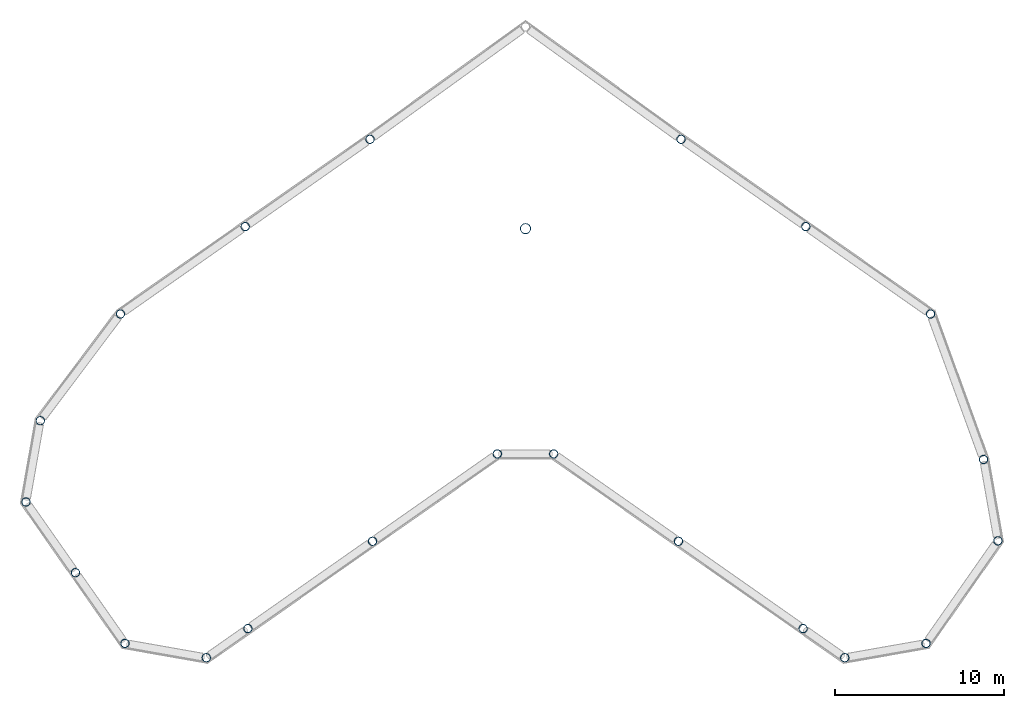
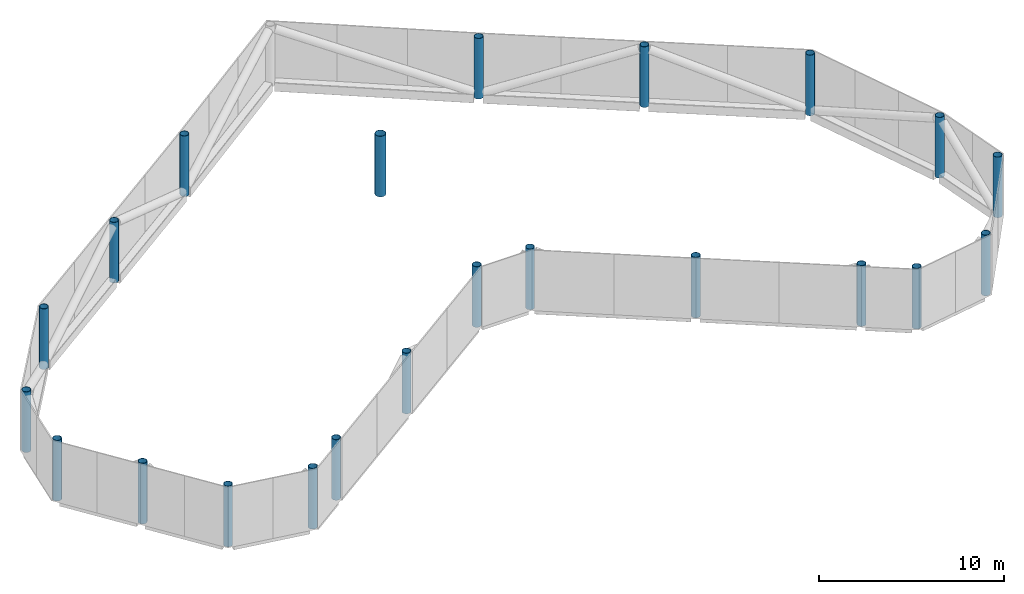
# One storey, part 1 of 4: 22 columns.
"""IFC4 building model written with IfcOpenShell, lengths in metres."""

import ifcopenshell
import ifcopenshell.guid

model = None  # the IFC model being written
_history = None  # IfcOwnerHistory: only IFC2X3 demands one
_inside = {}  # id of a spatial element -> (the spatial element, [elements in it])
_under = {}  # id of a project, library or spatial element -> (it, [spatial elements below it])
_declared = {}  # id of a project -> (the project, [libraries it declares])
_typed = {}  # id of a type object -> (the type object, [elements of that type])
_made_of = {}  # id of a material, layer set ... -> (it, [elements and type objects made of it])


def new_model(schema):
    """Start an empty IFC model of exactly this schema.

    Asked for "IFC4X3", IfcOpenShell would pick the latest addendum, in which some entities
    have other attributes; the version numbers below select the first issue.
    IFC2X3 requires an IfcOwnerHistory on every rooted entity: one is made here for all.
    """
    global model, _history
    if schema == "IFC4X3":
        model = ifcopenshell.file(schema_version=(4, 3, 0, 0))
    else:
        model = ifcopenshell.file(schema=schema)
    _inside.clear()
    _under.clear()
    _declared.clear()
    _typed.clear()
    _made_of.clear()
    _history = None
    if model.schema == "IFC2X3":
        org = make("IfcOrganization", Name="unknown")
        user = make(
            "IfcPersonAndOrganization",
            ThePerson=make("IfcPerson", FamilyName="unknown"),
            TheOrganization=org,
        )
        app = make(
            "IfcApplication",
            ApplicationDeveloper=org,
            Version="unknown",
            ApplicationFullName="unknown",
            ApplicationIdentifier="unknown",
        )
        _history = make(
            "IfcOwnerHistory",
            OwningUser=user,
            OwningApplication=app,
            ChangeAction="ADDED",
            CreationDate=0,
        )
    return model


def make(cls, **values):
    """One entity of the class cls with the attributes given. An attribute that is None is left unset."""
    return model.create_entity(
        cls, **{name: value for name, value in values.items() if value is not None}
    )


def rooted(cls, **values):
    """An entity with a GlobalId (a new one), such as an element, a storey or a relation."""
    return make(cls, GlobalId=ifcopenshell.guid.new(), OwnerHistory=_history, **values)


def si_unit(unit_type, name, prefix=None):
    """IfcSIUnit, for example si_unit("LENGTHUNIT", "METRE", prefix="MILLI")."""
    return make("IfcSIUnit", UnitType=unit_type, Prefix=prefix, Name=name)


def assignment(units):
    """IfcUnitAssignment: the units of a project."""
    return None if units is None else make("IfcUnitAssignment", Units=units)


def point(xyz):
    """IfcCartesianPoint."""
    return None if xyz is None else make("IfcCartesianPoint", Coordinates=xyz)


def direction(xyz):
    """IfcDirection."""
    return None if xyz is None else make("IfcDirection", DirectionRatios=xyz)


def frame(location, z_axis=None, x_axis=None):
    """IfcAxis2Placement3D, a coordinate frame: its origin and axes. An axis left out is left unset."""
    return make(
        "IfcAxis2Placement3D",
        Location=point(location),
        Axis=direction(z_axis),
        RefDirection=direction(x_axis),
    )


def frame_2d(location, x_axis=None):
    """IfcAxis2Placement2D, a coordinate frame in the plane: its origin and x axis."""
    return make(
        "IfcAxis2Placement2D", Location=point(location), RefDirection=direction(x_axis)
    )


def origin():
    """The frame at (0, 0, 0) with its axes left unset."""
    return frame((0.0, 0.0, 0.0))


def origin_with_axes():
    """The frame at (0, 0, 0) with the z axis (0, 0, 1) and the x axis (1, 0, 0) written out."""
    return frame((0.0, 0.0, 0.0), z_axis=(0.0, 0.0, 1.0), x_axis=(1.0, 0.0, 0.0))


def origin_2d():
    """The frame at (0, 0) in the plane with its x axis left unset."""
    return frame_2d((0.0, 0.0))


def place(relative_to, where):
    """IfcLocalPlacement: puts the frame where relative to a parent placement (None: the world)."""
    return make(
        "IfcLocalPlacement", PlacementRelTo=relative_to, RelativePlacement=where
    )


def context(
    kind, dimensions, precision=None, world=None, true_north=None, identifier=None
):
    """IfcGeometricRepresentationContext, for example the 3D "Model" context."""
    return make(
        "IfcGeometricRepresentationContext",
        ContextIdentifier=identifier,
        ContextType=kind,
        CoordinateSpaceDimension=dimensions,
        Precision=precision,
        WorldCoordinateSystem=world,
        TrueNorth=true_north,
    )


def subcontext(parent, identifier, kind, view, scale=None):
    """IfcGeometricRepresentationSubContext, for example "Body" below "Model"."""
    return make(
        "IfcGeometricRepresentationSubContext",
        ContextIdentifier=identifier,
        ContextType=kind,
        ParentContext=parent,
        TargetScale=scale,
        TargetView=view,
    )


def project(units=None, contexts=None):
    """IfcProject with its units and contexts."""
    return rooted(
        "IfcProject",
        Name="project",
        RepresentationContexts=contexts,
        UnitsInContext=assignment(units),
    )


def spatial(cls, under=None, at=None, **own):
    """A site, building, storey or space (cls), placed at a placement, below another one or the project."""
    s = rooted(cls, ObjectPlacement=at, **own)
    if under is not None:
        _under.setdefault(under.id(), (under, []))[1].append(s)
    return s


def profile(cls, at=None, kind="AREA", **sizes):
    """A parametric profile (cls). Its sizes go by their IFC names, for example OverallWidth=200.0."""
    return make(cls, ProfileType=kind, Position=at, **sizes)


def hollow_circle(**sizes):
    """IfcCircleHollowProfileDef."""
    return profile("IfcCircleHollowProfileDef", **sizes)


def extrude(swept, where, along, depth):
    """IfcExtrudedAreaSolid: the profile swept, set in the frame where, extruded along a direction by depth."""
    return make(
        "IfcExtrudedAreaSolid",
        SweptArea=swept,
        Position=where,
        ExtrudedDirection=direction(along),
        Depth=depth,
    )


def shape(context_of_items, identifier, shape_type, items):
    """IfcShapeRepresentation: the items that make up one representation, for example the "Body"."""
    return make(
        "IfcShapeRepresentation",
        ContextOfItems=context_of_items,
        RepresentationIdentifier=identifier,
        RepresentationType=shape_type,
        Items=items,
    )


def material(Name=None, Category=None):
    """IfcMaterial."""
    return make("IfcMaterial", Name=Name, Category=Category)


def material_profile(
    of_material, cross_section, Name=None, Category=None, Priority=None
):
    """IfcMaterialProfile: a cross section and its material."""
    return make(
        "IfcMaterialProfile",
        Name=Name,
        Material=of_material,
        Profile=cross_section,
        Priority=Priority,
        Category=Category,
    )


def profile_set(profiles, Name=None, composite=None):
    """IfcMaterialProfileSet."""
    return make(
        "IfcMaterialProfileSet",
        Name=Name,
        MaterialProfiles=profiles,
        CompositeProfile=composite,
    )


def made_of(thing, what):
    """Note that an element or type object is made of a material, layer set ...; save() writes the relation."""
    if what is not None:
        _made_of.setdefault(what.id(), (what, []))[1].append(thing)
    return thing


def type_object(cls, material=None, **own):
    """A type object (cls), such as IfcWallType, which elements share."""
    return made_of(rooted(cls, **own), material)


def element(
    cls,
    number,
    at=None,
    inside=None,
    cuts=None,
    type_object=None,
    material=None,
    context=None,
    identifier="Body",
    shape_type=None,
    held_by="IfcProductDefinitionShape",
    body=None,
    shapes=None,
    **own,
):
    """One element of the class cls, such as IfcWall. Its Tag is "e" and its number.

    at: its placement. inside: the storey or other place that contains it. cuts: it is an
    opening in that element (IfcRelVoidsElement). A single representation is given by context,
    identifier, shape_type and body (its items); several are given by shapes. held_by: the class
    of the entity that holds the representations. save() writes the other relations.
    """
    e = rooted(cls, Tag="e%d" % number, ObjectPlacement=at, **own)
    if body is not None:
        shapes = [shape(context, identifier, shape_type, body)]
    if shapes is not None:
        e.Representation = make(held_by, Representations=shapes)
    if inside is not None:
        _inside.setdefault(inside.id(), (inside, []))[1].append(e)
    if cuts is not None:
        rooted(
            "IfcRelVoidsElement", RelatingBuildingElement=cuts, RelatedOpeningElement=e
        )
    if type_object is not None:
        _typed.setdefault(type_object.id(), (type_object, []))[1].append(e)
    return made_of(e, material)


def aggregate(whole, parts):
    """IfcRelAggregates: a whole, such as a stair, and the parts it consists of."""
    return rooted("IfcRelAggregates", RelatingObject=whole, RelatedObjects=parts)


def save(model, path):
    """Write the relations noted so far, then the file.

    IfcRelAggregates (storeys below a building ...), IfcRelContainedInSpatialStructure (elements
    in a storey), IfcRelDefinesByType, IfcRelAssociatesMaterial and IfcRelDeclares: one each for
    every whole, place, type object, material and project.
    """
    for whole, parts in _under.values():
        aggregate(whole, parts)
    for where, things in _inside.values():
        rooted(
            "IfcRelContainedInSpatialStructure",
            RelatedElements=things,
            RelatingStructure=where,
        )
    for kind, things in _typed.values():
        rooted("IfcRelDefinesByType", RelatedObjects=things, RelatingType=kind)
    for what, things in _made_of.values():
        rooted("IfcRelAssociatesMaterial", RelatedObjects=things, RelatingMaterial=what)
    for by, libraries in _declared.values():
        rooted("IfcRelDeclares", RelatingContext=by, RelatedDefinitions=libraries)
    model.write(path)


model = new_model("IFC4")

# Units and contexts
model_context = context("Model", 3, precision=1e-05, world=origin(), true_north=direction((0.0, 1.0)))
body_context = subcontext(model_context, "Body", "Model", "MODEL_VIEW")
ifc_project = project(units=[si_unit("LENGTHUNIT", "METRE"), si_unit("AREAUNIT", "SQUARE_METRE"), si_unit("VOLUMEUNIT", "CUBIC_METRE"), si_unit("PLANEANGLEUNIT", "RADIAN"), si_unit("MASSUNIT", "GRAM", prefix="KILO")], contexts=[model_context])

# Site, building, storey
site_placement = place(None, origin())
site = spatial("IfcSite", under=ifc_project, at=site_placement, CompositionType="ELEMENT")
building_placement = place(site_placement, origin())
building = spatial("IfcBuilding", under=site, at=building_placement, Name="Tel Ilan Convention Tower", CompositionType="ELEMENT")
storey_placement = place(building_placement, frame((0.0, 0.0, 334.800048828125)))
storey = spatial("IfcBuildingStorey", under=building, at=storey_placement, Name="L79", CompositionType="ELEMENT", Elevation=334.800048828125)

# Columns
ifc_material_1 = material(Name="Steel S355", Category="steel")
ifc_material_profile_1 = material_profile(ifc_material_1, hollow_circle(Radius=0.25390625, WallThickness=0.02490234375, at=origin_2d()), Name="CHS 508x25")
ifc_profile_set_1 = profile_set([ifc_material_profile_1], Name="Steel S355")
column_type_1 = type_object("IfcColumnType", Name="CROWN FRAME COLUMN CHS 508x25", PredefinedType="COLUMN", material=ifc_profile_set_1)
for number, where, z_axis, x_axis, name in (
    (1, (-18.866943359375, -25.35791015625, 0.0), (0.0, 0.0, 1.0), (1.0, 0.0, 0.0), "CROWN FRAME column"),
    (2, (-16.409912109375, -23.636962890625, 0.0), (0.0, 0.0, 1.0), (1.0, 0.0, 0.0), "CROWN FRAME column"),
    (3, (-9.0380859375, -18.47509765625, 0.0), (0.0, 0.0, 1.0), (1.0, 0.0, 0.0), "CROWN FRAME column"),
    (4, (-1.6650390625, -13.31298828125, 0.0), (0.0, 0.0, 1.0), (1.0, 0.0, 0.0), "CROWN FRAME column"),
    (5, (1.6650390625, -13.31298828125, 0.0), (0.0, 0.0, 1.0), (1.0, 0.0, 0.0), "CROWN FRAME column"),
    (6, (9.0380859375, -18.47509765625, 0.0), (0.0, 0.0, 1.0), (1.0, 0.0, 0.0), "CROWN FRAME column"),
    (7, (16.409912109375, -23.636962890625, 0.0), (0.0, 0.0, 1.0), (1.0, 0.0, 0.0), "CROWN FRAME column"),
    (8, (18.866943359375, -25.35791015625, 0.0), (0.0, 0.0, 1.0), (1.0, 0.0, 0.0), "CROWN FRAME column"),
    (9, (23.672119140625, -24.510986328125, 0.0), (0.0, 0.0, 1.0), (1.0, 0.0, 0.0), "CROWN FRAME column"),
    (10, (27.9169921875, -18.448974609375, 0.0), (0.0, 0.0, 1.0), (1.0, 0.0, 0.0), "CROWN FRAME column"),
    (11, (27.070068359375, -13.64404296875, 0.0), (0.0, 0.0, 1.0), (1.0, 0.0, 0.0), "CROWN FRAME column"),
    (12, (23.93701171875, -5.0419921875, 0.0), (0.0, 0.0, 1.0), (1.0, 0.0, 0.0), "CROWN FRAME column"),
    (13, (16.56494140625, 0.12109375, 0.0), (0.0, 0.0, 1.0), (1.0, 0.0, 0.0), "CROWN FRAME column"),
    (14, (9.193115234375, 5.282958984375, 0.0), (0.0, 0.0, 1.0), (1.0, 0.0, 0.0), "CROWN FRAME column"),
    (15, (-9.193115234375, 5.282958984375, 0.0), (0.0, 0.0, 1.0), (1.0, 0.0, 0.0), "CROWN FRAME column"),
    (16, (-16.56494140625, 0.12109375, 0.0), (0.0, 0.0, 1.0), (1.0, 0.0, 0.0), "CROWN FRAME column"),
    (17, (-23.93701171875, -5.0419921875, 0.0), (0.0, 0.0, 1.0), (1.0, 0.0, 0.0), "CROWN FRAME column"),
    (18, (-28.676025390625, -11.35009765625, 0.0), (0.0, 0.0, 1.0), (1.0, 0.0, 0.0), "CROWN FRAME column"),
    (19, (-29.52294921875, -16.155029296875, 0.0), (0.0, 0.0, 1.0), (1.0, 0.0, 0.0), "CROWN FRAME column"),
    (20, (-26.597900390625, -20.3330078125, 0.0), (0.0, 0.0, 1.0), (1.0, 0.0, 0.0), "CROWN FRAME column"),
    (21, (-23.672119140625, -24.510986328125, 0.0), (0.0, 0.0, 1.0), (1.0, 0.0, 0.0), "CROWN FRAME column"),
):
    element("IfcColumn", number, at=place(storey_placement, frame(where, z_axis=z_axis, x_axis=x_axis)), inside=storey, type_object=column_type_1, Name=name, PredefinedType="COLUMN", context=body_context, shape_type="SweptSolid", body=[
        extrude(hollow_circle(Radius=0.25390625, WallThickness=0.02490234375, at=origin_2d()), origin(), (0.0, 0.0, 1.0), 4.0),
    ])
ifc_material_2 = material(Name="Steel S355", Category="steel")
ifc_material_profile_2 = material_profile(ifc_material_2, hollow_circle(Radius=0.304931640625, WallThickness=0.02001953125, at=origin_2d()), Name="CHS 610x20")
ifc_profile_set_2 = profile_set([ifc_material_profile_2], Name="Steel S355")
column_type_2 = type_object("IfcColumnType", Name="CROWN FRAME MAST CHS 610x20", PredefinedType="COLUMN", material=ifc_profile_set_2)
column_placement = place(storey_placement, origin_with_axes())
element("IfcColumn", 22, at=column_placement, inside=storey, type_object=column_type_2, Name="CROWN FRAME mast", PredefinedType="COLUMN", context=body_context, shape_type="SweptSolid", body=[
    extrude(hollow_circle(Radius=0.304931640625, WallThickness=0.02001953125, at=origin_2d()), origin(), (0.0, 0.0, 1.0), 4.0),
])

save(model, "model.ifc")
